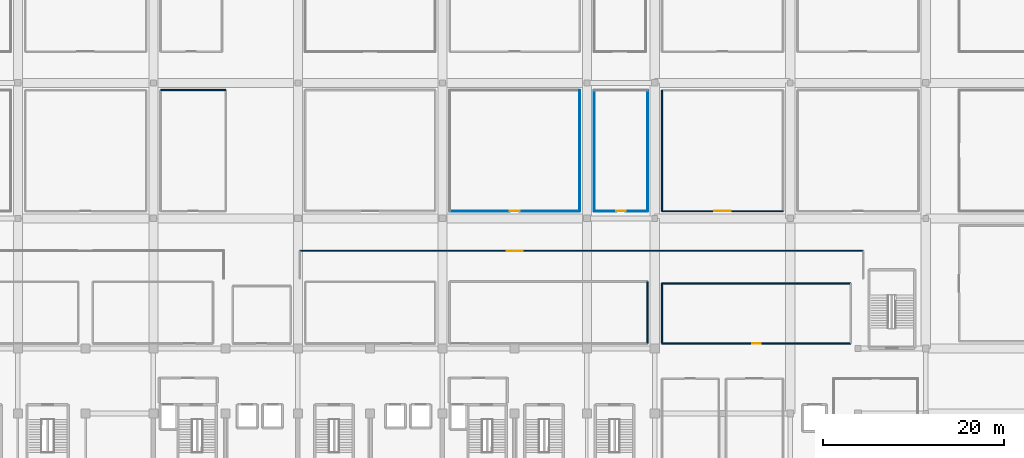
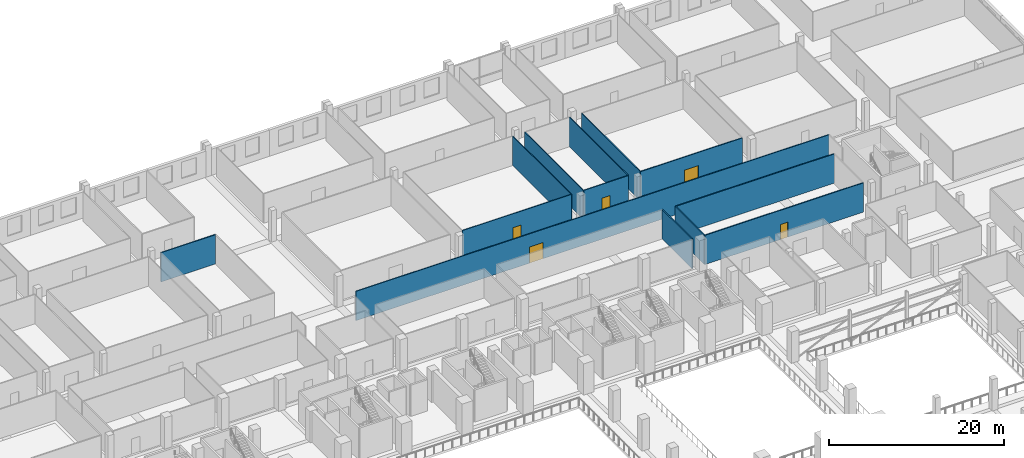
# One storey, part 48 of 64: 13 walls, 5 doors, 5 openings.
"""IFC4 building model written with IfcOpenShell, lengths in metres."""

from ifc_helpers import new_model, si_unit, direction, frame, frame_2d, origin, place, context, subcontext, project, spatial, rectangle, extrude, material, layer, layer_set, type_object, element, fill, save


model = new_model("IFC4")

# Units and contexts
model_context = context("Model", 3, precision=1e-05, world=origin(), true_north=direction((0.0, 1.0)))
body_context = subcontext(model_context, "Body", "Model", "MODEL_VIEW")
ifc_project = project(units=[si_unit("LENGTHUNIT", "METRE"), si_unit("AREAUNIT", "SQUARE_METRE"), si_unit("VOLUMEUNIT", "CUBIC_METRE"), si_unit("PLANEANGLEUNIT", "RADIAN"), si_unit("MASSUNIT", "GRAM", prefix="KILO")], contexts=[model_context])

# Site, building, storey
site_placement = place(None, origin())
site = spatial("IfcSite", under=ifc_project, at=site_placement, CompositionType="ELEMENT")
building_placement = place(site_placement, origin())
building = spatial("IfcBuilding", under=site, at=building_placement, Name="Akrevak Sports Hall", CompositionType="ELEMENT")
storey_placement = place(building_placement, frame((0.0, 0.0, 4.60009765625)))
storey = spatial("IfcBuildingStorey", under=building, at=storey_placement, Name="L01", CompositionType="ELEMENT", Elevation=4.60009765625)

# Wall, opening, door
ifc_material_1 = material(Name="Sanitary Cubicle Partition", Category="gypsum")
ifc_layer_1 = layer(ifc_material_1, 0.10009765625, Name="Sanitary Cubicle Partition")
ifc_layer_set_1 = layer_set([ifc_layer_1], Name="Sanitary Cubicle Partition")
wall_type_1 = type_object("IfcWallType", Name="ARC-WL-PRT-100", PredefinedType="PARTITIONING", material=ifc_layer_set_1)
wall_1_placement = place(storey_placement, frame((92.800048828125, 84.800048828125, 0.0), z_axis=(0.0, 0.0, 1.0), x_axis=(1.0, 0.0, 0.0)))
wall_1 = element("IfcWall", 1, at=wall_1_placement, inside=storey, type_object=wall_type_1, Name="Interior Partition Sports Federation Training Office L01-8 (S)", PredefinedType="PARTITIONING", context=body_context, shape_type="SweptSolid", body=[
    extrude(rectangle(XDim=14.39990234375, YDim=0.10009765625, at=frame_2d((7.199951171875, 0.0))), origin(), (0.0, 0.0, 1.0), 4.079833984375),
])
opening_1_placement = place(wall_1_placement, frame((6.64990234375, 0.0, 0.0)))
opening_1 = element("IfcOpeningElement", 2, at=opening_1_placement, cuts=wall_1, Name="Opening ID-04", PredefinedType="OPENING", context=body_context, shape_type="SweptSolid", body=[
    extrude(rectangle(XDim=1.10009765625, YDim=2.14990234375, at=frame_2d((0.550048828125, 1.074951171875))), frame((0.0, 0.06201171875, 0.0), z_axis=(0.0, -1.0, 0.0), x_axis=(1.0, 0.0, 0.0)), (0.0, 0.0, 1.0), 0.1240234375),
])
ifc_material_2 = material(Name="Hardwood Oak Acoustic Leaf", Category="wood")
door_type_1 = type_object("IfcDoorType", Name="ARC-DR-OFF-110x215", OperationType="NOTDEFINED", PredefinedType="DOOR", material=ifc_material_2)
door_1_placement = place(opening_1_placement, origin())
door_1 = element("IfcDoor", 3, at=door_1_placement, inside=storey, type_object=door_type_1, Name="Door to Sports Federation Training Office L01-8", OperationType="SINGLE_SWING_LEFT", OverallHeight=2.14990234375, OverallWidth=1.10009765625, PredefinedType="DOOR", context=body_context, shape_type="SweptSolid", body=[
    extrude(rectangle(XDim=1.10009765625, YDim=2.14990234375, at=frame_2d((0.550048828125, 1.074951171875))), frame((0.0, 0.02490234375, 0.0), z_axis=(0.0, -1.0, 0.0), x_axis=(1.0, 0.0, 0.0)), (0.0, 0.0, 1.0), 0.050048828125),
])
fill(opening_1, door_1)

# Wall
wall_2_placement = place(storey_placement, frame((107.199951171875, 84.800048828125, 0.0), z_axis=(0.0, 0.0, 1.0), x_axis=(0.0, 1.0, 0.0)))
element("IfcWall", 4, at=wall_2_placement, inside=storey, type_object=wall_type_1, Name="Interior Partition Sports Federation Training Office L01-8 (E)", PredefinedType="PARTITIONING", context=body_context, shape_type="SweptSolid", body=[
    extrude(rectangle(XDim=13.39990234375, YDim=0.10009765625, at=frame_2d((6.699951171875, 0.0))), origin(), (0.0, 0.0, 1.0), 4.079833984375),
])

# Wall, opening, door
ifc_material_3 = material(Name="Lightweight Office Partition", Category="gypsum")
ifc_layer_2 = layer(ifc_material_3, 0.110107421875, Name="Lightweight Office Partition")
ifc_layer_set_2 = layer_set([ifc_layer_2], Name="Lightweight Office Partition")
wall_type_2 = type_object("IfcWallType", Name="ARC-WL-PRT-110", PredefinedType="PARTITIONING", material=ifc_layer_set_2)
wall_3_placement = place(storey_placement, frame((108.800048828125, 84.800048828125, 0.0), z_axis=(0.0, 0.0, 1.0), x_axis=(1.0, 0.0, 0.0)))
wall_3 = element("IfcWall", 5, at=wall_3_placement, inside=storey, type_object=wall_type_2, Name="Interior Partition Sports Clinic Recovery & Physiotherapy Room L01-9 (S)", PredefinedType="PARTITIONING", context=body_context, shape_type="SweptSolid", body=[
    extrude(rectangle(XDim=5.89990234375, YDim=0.110107421875, at=frame_2d((2.949951171875, 0.0))), origin(), (0.0, 0.0, 1.0), 4.079833984375),
])
opening_2_placement = place(wall_3_placement, frame((2.425048828125, 0.0, 0.0)))
opening_2 = element("IfcOpeningElement", 6, at=opening_2_placement, cuts=wall_3, Name="Opening ID-05", PredefinedType="OPENING", context=body_context, shape_type="SweptSolid", body=[
    extrude(rectangle(XDim=1.050048828125, YDim=2.14990234375, at=frame_2d((0.52490234375, 1.074951171875))), frame((0.0, 0.06689453125, 0.0), z_axis=(0.0, -1.0, 0.0), x_axis=(1.0, 0.0, 0.0)), (0.0, 0.0, 1.0), 0.134033203125),
])
door_type_2 = type_object("IfcDoorType", Name="ARC-DR-OFF-105x215", OperationType="NOTDEFINED", PredefinedType="DOOR", material=ifc_material_2)
door_2_placement = place(opening_2_placement, frame((1.050048828125, 0.0, 0.0), z_axis=(0.0, 0.0, 1.0), x_axis=(-1.0, 0.0, 0.0)))
door_2 = element("IfcDoor", 7, at=door_2_placement, inside=storey, type_object=door_type_2, Name="Door to Sports Clinic Recovery & Physiotherapy Room L01-9", OperationType="SINGLE_SWING_RIGHT", OverallHeight=2.14990234375, OverallWidth=1.050048828125, PredefinedType="DOOR", context=body_context, shape_type="SweptSolid", body=[
    extrude(rectangle(XDim=1.050048828125, YDim=2.14990234375, at=frame_2d((0.52490234375, 1.074951171875))), frame((0.0, 0.02490234375, 0.0), z_axis=(0.0, -1.0, 0.0), x_axis=(1.0, 0.0, 0.0)), (0.0, 0.0, 1.0), 0.050048828125),
])
fill(opening_2, door_2)

# Walls
for number, where, z_axis, x_axis, name in (
    (8, (108.800048828125, 84.800048828125, 0.0), (0.0, 0.0, 1.0), (0.0, 1.0, 0.0), "Interior Partition Sports Clinic Recovery & Physiotherapy Room L01-9 (W)"),
    (9, (114.699951171875, 84.800048828125, 0.0), (0.0, 0.0, 1.0), (0.0, 1.0, 0.0), "Interior Partition Sports Clinic Recovery & Physiotherapy Room L01-9 (E)"),
):
    element("IfcWall", number, at=place(storey_placement, frame(where, z_axis=z_axis, x_axis=x_axis)), inside=storey, type_object=wall_type_2, Name=name, PredefinedType="PARTITIONING", context=body_context, shape_type="SweptSolid", body=[
        extrude(rectangle(XDim=13.39990234375, YDim=0.110107421875, at=frame_2d((6.699951171875, 0.0))), origin(), (0.0, 0.0, 1.0), 4.079833984375),
    ])

# Wall, opening, door
ifc_material_4 = material(Name="Standard Metal Stud Partition", Category="gypsum")
ifc_layer_3 = layer(ifc_material_4, 0.1201171875, Name="Standard Metal Stud Partition")
ifc_layer_set_3 = layer_set([ifc_layer_3], Name="Standard Metal Stud Partition")
wall_type_3 = type_object("IfcWallType", Name="ARC-WL-PRT-120", PredefinedType="PARTITIONING", material=ifc_layer_set_3)
wall_4_placement = place(storey_placement, frame((116.300048828125, 84.800048828125, 0.0), z_axis=(0.0, 0.0, 1.0), x_axis=(1.0, 0.0, 0.0)))
wall_4 = element("IfcWall", 10, at=wall_4_placement, inside=storey, type_object=wall_type_3, Name="Interior Partition Athletic Gear & Equipment Storage L01-10 (S)", PredefinedType="PARTITIONING", context=body_context, shape_type="SweptSolid", body=[
    extrude(rectangle(XDim=13.39990234375, YDim=0.1201171875, at=frame_2d((6.699951171875, 0.0))), origin(), (0.0, 0.0, 1.0), 4.079833984375),
])
opening_3_placement = place(wall_4_placement, frame((5.800048828125, 0.0, 0.0)))
opening_3 = element("IfcOpeningElement", 11, at=opening_3_placement, cuts=wall_4, Name="Opening ID-02", PredefinedType="OPENING", context=body_context, shape_type="SweptSolid", body=[
    extrude(rectangle(XDim=1.800048828125, YDim=2.25, at=frame_2d((0.89990234375, 1.125))), frame((0.0, 0.072021484375, 0.0), z_axis=(0.0, -1.0, 0.0), x_axis=(1.0, 0.0, 0.0)), (0.0, 0.0, 1.0), 0.14404296875),
])
ifc_material_5 = material(Name="Hardwood Oak & Safety Glass", Category="wood")
door_type_3 = type_object("IfcDoorType", Name="ARC-DR-HALL-180x225", OperationType="DOUBLE_DOOR_SINGLE_SWING", PredefinedType="DOOR", material=ifc_material_5)
door_3_placement = place(opening_3_placement, origin())
door_3 = element("IfcDoor", 12, at=door_3_placement, inside=storey, type_object=door_type_3, Name="Door to Athletic Gear & Equipment Storage L01-10", OperationType="DOUBLE_DOOR_SINGLE_SWING", OverallHeight=2.25, OverallWidth=1.800048828125, PredefinedType="DOOR", context=body_context, shape_type="SweptSolid", body=[
    extrude(rectangle(XDim=1.800048828125, YDim=2.25, at=frame_2d((0.89990234375, 1.125))), frame((0.0, 0.02490234375, 0.0), z_axis=(0.0, -1.0, 0.0), x_axis=(1.0, 0.0, 0.0)), (0.0, 0.0, 1.0), 0.050048828125),
])
fill(opening_3, door_3)

# Wall
wall_5_placement = place(storey_placement, frame((116.300048828125, 84.800048828125, 0.0), z_axis=(0.0, 0.0, 1.0), x_axis=(0.0, 1.0, 0.0)))
element("IfcWall", 13, at=wall_5_placement, inside=storey, type_object=wall_type_3, Name="Interior Partition Athletic Gear & Equipment Storage L01-10 (W)", PredefinedType="PARTITIONING", context=body_context, shape_type="SweptSolid", body=[
    extrude(rectangle(XDim=13.39990234375, YDim=0.1201171875, at=frame_2d((6.699951171875, 0.0))), origin(), (0.0, 0.0, 1.0), 4.079833984375),
])

# Wall, opening, door
wall_6_placement = place(storey_placement, frame((76.199951171875, 80.39990234375, 0.0), z_axis=(0.0, 0.0, 1.0), x_axis=(1.0, 0.0, 0.0)))
wall_6 = element("IfcWall", 14, at=wall_6_placement, inside=storey, type_object=wall_type_3, Name="Interior Partition North-East Concourse Gear Storage L01 (N)", PredefinedType="PARTITIONING", context=body_context, shape_type="SweptSolid", body=[
    extrude(rectangle(XDim=62.400146484375, YDim=0.1201171875, at=frame_2d((31.2001953125, 0.0))), origin(), (0.0, 0.0, 1.0), 4.079833984375),
])
opening_4_placement = place(wall_6_placement, frame((22.89990234375, 0.0, 0.0)))
opening_4 = element("IfcOpeningElement", 15, at=opening_4_placement, cuts=wall_6, Name="Opening ID-02", PredefinedType="OPENING", context=body_context, shape_type="SweptSolid", body=[
    extrude(rectangle(XDim=1.800048828125, YDim=2.25, at=frame_2d((0.89990234375, 1.125))), frame((0.0, 0.072021484375, 0.0), z_axis=(0.0, -1.0, 0.0), x_axis=(1.0, 0.0, 0.0)), (0.0, 0.0, 1.0), 0.14404296875),
])
door_4_placement = place(opening_4_placement, origin())
door_4 = element("IfcDoor", 16, at=door_4_placement, inside=storey, type_object=door_type_3, Name="Door to North-East Concourse Gear Storage L01", OperationType="DOUBLE_DOOR_SINGLE_SWING", OverallHeight=2.25, OverallWidth=1.800048828125, PredefinedType="DOOR", context=body_context, shape_type="SweptSolid", body=[
    extrude(rectangle(XDim=1.800048828125, YDim=2.25, at=frame_2d((0.89990234375, 1.125))), frame((0.0, 0.02490234375, 0.0), z_axis=(0.0, -1.0, 0.0), x_axis=(1.0, 0.0, 0.0)), (0.0, 0.0, 1.0), 0.050048828125),
])
fill(opening_4, door_4)

# Wall
ifc_material_6 = material(Name="Acoustic Metal Stud Partition", Category="gypsum")
ifc_layer_4 = layer(ifc_material_6, 0.1298828125, Name="Acoustic Metal Stud Partition")
ifc_layer_set_4 = layer_set([ifc_layer_4], Name="Acoustic Metal Stud Partition")
wall_type_4 = type_object("IfcWallType", Name="ARC-WL-PRT-130", PredefinedType="PARTITIONING", material=ifc_layer_set_4)
wall_7_placement = place(storey_placement, frame((60.800048828125, 98.199951171875, 0.0), z_axis=(0.0, 0.0, 1.0), x_axis=(1.0, 0.0, 0.0)))
element("IfcWall", 17, at=wall_7_placement, inside=storey, type_object=wall_type_4, Name="Interior Partition Sports Clinic Recovery & Physiotherapy Room L01-6 (N)", PredefinedType="PARTITIONING", context=body_context, shape_type="SweptSolid", body=[
    extrude(rectangle(XDim=7.199951171875, YDim=0.1298828125, at=frame_2d((3.60009765625, 0.0))), origin(), (0.0, 0.0, 1.0), 4.079833984375),
])

# Wall, opening, door
ifc_material_7 = material(Name="Moisture-Resistant Wet-Area Partition", Category="gypsum")
ifc_layer_5 = layer(ifc_material_7, 0.139892578125, Name="Moisture-Resistant Wet-Area Partition")
ifc_layer_set_5 = layer_set([ifc_layer_5], Name="Moisture-Resistant Wet-Area Partition")
wall_type_5 = type_object("IfcWallType", Name="ARC-WL-PRT-140", PredefinedType="PARTITIONING", material=ifc_layer_set_5)
wall_8_placement = place(storey_placement, frame((116.300048828125, 70.14990234375, 0.0), z_axis=(0.0, 0.0, 1.0), x_axis=(1.0, 0.0, 0.0)))
wall_8 = element("IfcWall", 18, at=wall_8_placement, inside=storey, type_object=wall_type_5, Name="Interior Partition Fitness Shower & Wet Suite L01 (S)", PredefinedType="PARTITIONING", context=body_context, shape_type="SweptSolid", body=[
    extrude(rectangle(XDim=20.89990234375, YDim=0.139892578125, at=frame_2d((10.449951171875, 0.0))), origin(), (0.0, 0.0, 1.0), 4.079833984375),
])
opening_5_placement = place(wall_8_placement, frame((9.97509765625, 0.0, 0.0)))
opening_5 = element("IfcOpeningElement", 19, at=opening_5_placement, cuts=wall_8, Name="Opening ID-08", PredefinedType="OPENING", context=body_context, shape_type="SweptSolid", body=[
    extrude(rectangle(XDim=0.949951171875, YDim=2.10009765625, at=frame_2d((0.47509765625, 1.050048828125))), frame((0.0, 0.08203125, 0.0), z_axis=(0.0, -1.0, 0.0), x_axis=(1.0, 0.0, 0.0)), (0.0, 0.0, 1.0), 0.163818359375),
])
ifc_material_8 = material(Name="High-Pressure Laminate & Aluminium", Category="aluminium")
door_type_4 = type_object("IfcDoorType", Name="ARC-DR-WC-095x210", OperationType="NOTDEFINED", PredefinedType="DOOR", material=ifc_material_8)
door_5_placement = place(opening_5_placement, frame((0.949951171875, 0.0, 0.0), z_axis=(0.0, 0.0, 1.0), x_axis=(-1.0, 0.0, 0.0)))
door_5 = element("IfcDoor", 20, at=door_5_placement, inside=storey, type_object=door_type_4, Name="Door to Fitness Shower & Wet Suite L01", OperationType="SINGLE_SWING_RIGHT", OverallHeight=2.10009765625, OverallWidth=0.949951171875, PredefinedType="DOOR", context=body_context, shape_type="SweptSolid", body=[
    extrude(rectangle(XDim=0.949951171875, YDim=2.10009765625, at=frame_2d((0.47509765625, 1.050048828125))), frame((0.0, 0.02490234375, 0.0), z_axis=(0.0, -1.0, 0.0), x_axis=(1.0, 0.0, 0.0)), (0.0, 0.0, 1.0), 0.050048828125),
])
fill(opening_5, door_5)

# Walls
wall_9_placement = place(storey_placement, frame((116.300048828125, 76.800048828125, 0.0), z_axis=(0.0, 0.0, 1.0), x_axis=(1.0, 0.0, 0.0)))
element("IfcWall", 21, at=wall_9_placement, inside=storey, type_object=wall_type_5, Name="Interior Partition Fitness Shower & Wet Suite L01 (N)", PredefinedType="PARTITIONING", context=body_context, shape_type="SweptSolid", body=[
    extrude(rectangle(XDim=20.89990234375, YDim=0.139892578125, at=frame_2d((10.449951171875, 0.0))), origin(), (0.0, 0.0, 1.0), 4.079833984375),
])
wall_10_placement = place(storey_placement, frame((116.300048828125, 70.14990234375, 0.0), z_axis=(0.0, 0.0, 1.0), x_axis=(0.0, 1.0, 0.0)))
element("IfcWall", 22, at=wall_10_placement, inside=storey, type_object=wall_type_5, Name="Interior Partition Fitness Shower & Wet Suite L01 (W)", PredefinedType="PARTITIONING", context=body_context, shape_type="SweptSolid", body=[
    extrude(rectangle(XDim=6.650146484375, YDim=0.139892578125, at=frame_2d((3.3251953125, 0.0))), origin(), (0.0, 0.0, 1.0), 4.079833984375),
])
ifc_material_9 = material(Name="Double Stud Acoustic Gypsum Partition", Category="gypsum")
ifc_layer_6 = layer(ifc_material_9, 0.14990234375, Name="Double Stud Acoustic Gypsum Partition")
ifc_layer_set_6 = layer_set([ifc_layer_6], Name="Double Stud Acoustic Gypsum Partition")
wall_type_6 = type_object("IfcWallType", Name="ARC-WL-PRT-150", PredefinedType="PARTITIONING", material=ifc_layer_set_6)
wall_11_placement = place(storey_placement, frame((114.699951171875, 70.14990234375, 0.0), z_axis=(0.0, 0.0, 1.0), x_axis=(0.0, 1.0, 0.0)))
element("IfcWall", 23, at=wall_11_placement, inside=storey, type_object=wall_type_6, Name="Interior Partition Athletic Training Equipment Storage L01 (E)", PredefinedType="PARTITIONING", context=body_context, shape_type="SweptSolid", body=[
    extrude(rectangle(XDim=6.85009765625, YDim=0.14990234375, at=frame_2d((3.425048828125, 0.0))), origin(), (0.0, 0.0, 1.0), 4.079833984375),
])

save(model, "model.ifc")
